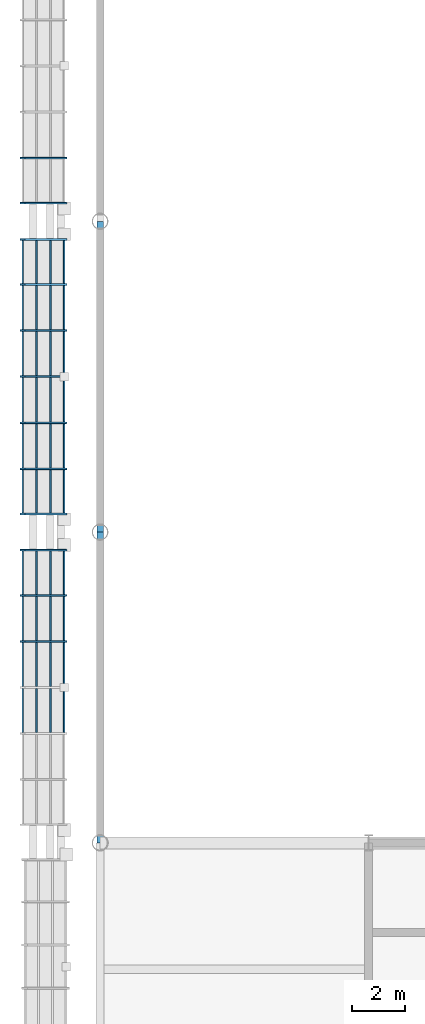
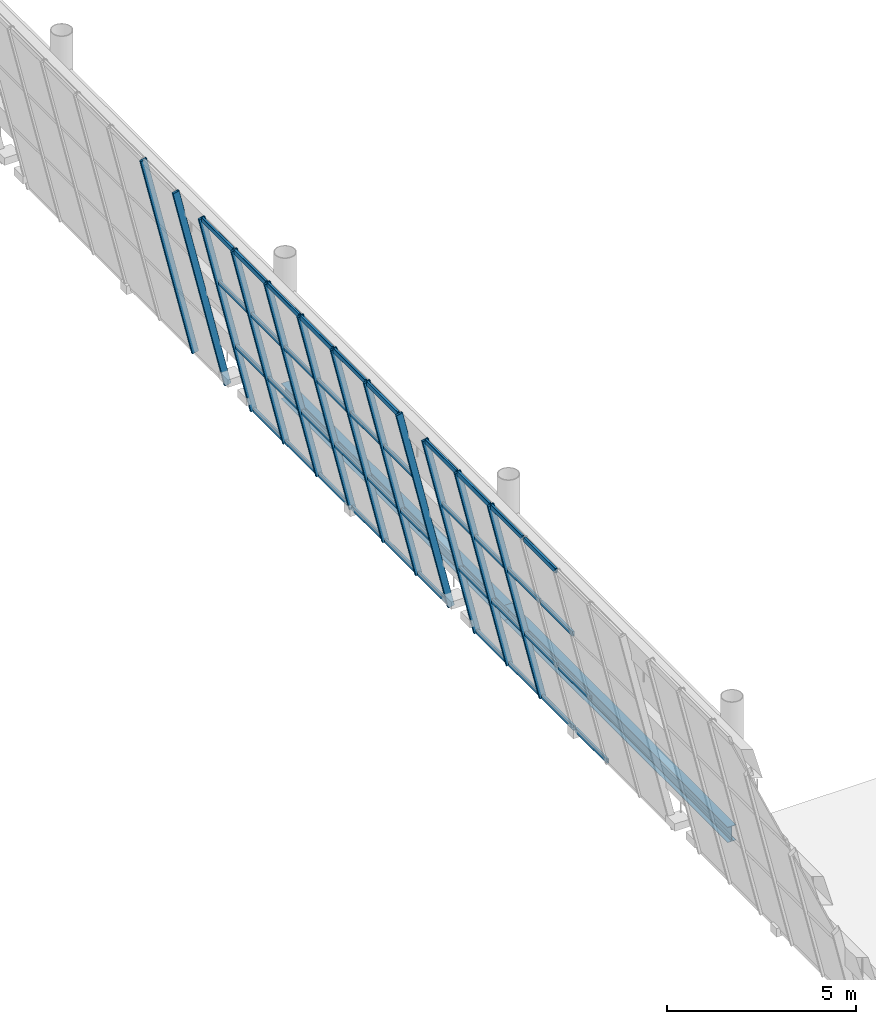
# One storey, part 26 of 157: 52 members, 2 beams, 3 elements without a shape of their own.
"""IFC4 building model written with IfcOpenShell, lengths in metres."""

from ifc_helpers import new_model, si_unit, direction, frame, origin, origin_2d, place, context, subcontext, project, spatial, hollow_rectangle, i_section, extrude, material, material_profile, profile_set, type_object, element, aggregate, save


model = new_model("IFC4")

# Units and contexts
model_context = context("Model", 3, precision=1e-05, world=origin(), true_north=direction((0.0, 1.0)))
body_context = subcontext(model_context, "Body", "Model", "MODEL_VIEW")
ifc_project = project(units=[si_unit("LENGTHUNIT", "METRE"), si_unit("AREAUNIT", "SQUARE_METRE"), si_unit("VOLUMEUNIT", "CUBIC_METRE"), si_unit("PLANEANGLEUNIT", "RADIAN"), si_unit("MASSUNIT", "GRAM", prefix="KILO")], contexts=[model_context])

# Site, building, storey
site_placement = place(None, origin())
site = spatial("IfcSite", under=ifc_project, at=site_placement, CompositionType="ELEMENT")
building_placement = place(site_placement, origin())
building = spatial("IfcBuilding", under=site, at=building_placement, Name="Brelvane Convention Centre", CompositionType="ELEMENT")
storey_placement = place(building_placement, frame((0.0, 0.0, 10.800048828125)))
storey = spatial("IfcBuildingStorey", under=building, at=storey_placement, Name="L02", CompositionType="ELEMENT", Elevation=10.800048828125)

# Curtain wall, members
ifc_material_1 = material(Name="Anodised Aluminium Alloy 6063-T6", Category="aluminium")
curtain_wall_type = type_object("IfcCurtainWallType", Name="Curtain Wall CW-HULL-S", PredefinedType="USERDEFINED", material=ifc_material_1)
curtain_wall_1_placement = place(storey_placement, origin())
curtain_wall_1 = element("IfcCurtainWall", 1, at=curtain_wall_1_placement, inside=storey, type_object=curtain_wall_type, Name="Curtain Wall CW-HULL-S L02-HULL-W-L02-1", ObjectType="UNITISED", PredefinedType="USERDEFINED")
ifc_material_2 = material(Name="Anodised Aluminium Alloy 6063-T6", Category="aluminium")
ifc_material_profile_1 = material_profile(ifc_material_2, hollow_rectangle(XDim=0.074951171875, YDim=0.199951171875, WallThickness=0.0048828125, InnerFilletRadius=0.0048828125, OuterFilletRadius=0.010009765625, at=origin_2d()), Name="ALU-M 200x75x5.0")
ifc_profile_set_1 = profile_set([ifc_material_profile_1], Name="Anodised Aluminium Alloy 6063-T6")
member_type_1 = type_object("IfcMemberType", Name="Curtain Mullion CW-M2", PredefinedType="MULLION", material=ifc_profile_set_1)
member_1_placement = place(storey_placement, frame((-1.360107421875, 36.449951171875, 0.0), z_axis=(-0.228324840492, 0.0, 0.973585007698), x_axis=(0.0, -1.0, 0.0)))
member_1 = element("IfcMember", 2, at=member_1_placement, type_object=member_type_1, Name="CW-HULL-S mullion 5", PredefinedType="MULLION", context=body_context, shape_type="SweptSolid", body=[
    extrude(hollow_rectangle(XDim=0.074951171875, YDim=0.199951171875, WallThickness=0.0048828125, InnerFilletRadius=0.0048828125, OuterFilletRadius=0.010009765625, at=origin_2d()), origin(), (0.0, 0.0, 1.0), 6.93310546875),
])
member_2_placement = place(storey_placement, frame((-1.360107421875, 38.199951171875, 0.0), z_axis=(-0.228324840492, 0.0, 0.973585007698), x_axis=(0.0, -1.0, 0.0)))
member_2 = element("IfcMember", 3, at=member_2_placement, type_object=member_type_1, Name="CW-HULL-S mullion 6", PredefinedType="MULLION", context=body_context, shape_type="SweptSolid", body=[
    extrude(hollow_rectangle(XDim=0.074951171875, YDim=0.199951171875, WallThickness=0.0048828125, InnerFilletRadius=0.0048828125, OuterFilletRadius=0.010009765625, at=origin_2d()), origin(), (0.0, 0.0, 1.0), 6.93310546875),
])
member_3_placement = place(storey_placement, frame((-1.360107421875, 39.91259765625, 0.0), z_axis=(-0.228324840492, 0.0, 0.973585007698), x_axis=(0.0, -1.0, 0.0)))
member_3 = element("IfcMember", 4, at=member_3_placement, type_object=member_type_1, Name="CW-HULL-S mullion 7", PredefinedType="MULLION", context=body_context, shape_type="SweptSolid", body=[
    extrude(hollow_rectangle(XDim=0.074951171875, YDim=0.199951171875, WallThickness=0.0048828125, InnerFilletRadius=0.0048828125, OuterFilletRadius=0.010009765625, at=origin_2d()), origin(), (0.0, 0.0, 1.0), 6.93310546875),
])

curtain_wall_2_placement = place(storey_placement, origin())
curtain_wall_2 = element("IfcCurtainWall", 5, at=curtain_wall_2_placement, inside=storey, type_object=curtain_wall_type, Name="Curtain Wall CW-HULL-S L02-HULL-W-L02-2", ObjectType="UNITISED", PredefinedType="USERDEFINED")
member_4_placement = place(storey_placement, frame((-1.360107421875, 41.28759765625, 0.0), z_axis=(-0.228324840492, 0.0, 0.973585007698), x_axis=(0.0, -1.0, 0.0)))
member_4 = element("IfcMember", 6, at=member_4_placement, type_object=member_type_1, Name="CW-HULL-S mullion 1", PredefinedType="MULLION", context=body_context, shape_type="SweptSolid", body=[
    extrude(hollow_rectangle(XDim=0.074951171875, YDim=0.199951171875, WallThickness=0.0048828125, InnerFilletRadius=0.0048828125, OuterFilletRadius=0.010009765625, at=origin_2d()), origin(), (0.0, 0.0, 1.0), 6.93310546875),
])
member_5_placement = place(storey_placement, frame((-1.360107421875, 43.0, 0.0), z_axis=(-0.228324840492, 0.0, 0.973585007698), x_axis=(0.0, -1.0, 0.0)))
member_5 = element("IfcMember", 7, at=member_5_placement, type_object=member_type_1, Name="CW-HULL-S mullion 2", PredefinedType="MULLION", context=body_context, shape_type="SweptSolid", body=[
    extrude(hollow_rectangle(XDim=0.074951171875, YDim=0.199951171875, WallThickness=0.0048828125, InnerFilletRadius=0.0048828125, OuterFilletRadius=0.010009765625, at=origin_2d()), origin(), (0.0, 0.0, 1.0), 6.93310546875),
])
member_6_placement = place(storey_placement, frame((-1.360107421875, 44.75, 0.0), z_axis=(-0.228324840492, 0.0, 0.973585007698), x_axis=(0.0, -1.0, 0.0)))
member_6 = element("IfcMember", 8, at=member_6_placement, type_object=member_type_1, Name="CW-HULL-S mullion 3", PredefinedType="MULLION", context=body_context, shape_type="SweptSolid", body=[
    extrude(hollow_rectangle(XDim=0.074951171875, YDim=0.199951171875, WallThickness=0.0048828125, InnerFilletRadius=0.0048828125, OuterFilletRadius=0.010009765625, at=origin_2d()), origin(), (0.0, 0.0, 1.0), 6.93310546875),
])
member_7_placement = place(storey_placement, frame((-1.360107421875, 46.5, 0.0), z_axis=(-0.228324840492, 0.0, 0.973585007698), x_axis=(0.0, -1.0, 0.0)))
member_7 = element("IfcMember", 9, at=member_7_placement, type_object=member_type_1, Name="CW-HULL-S mullion 4", PredefinedType="MULLION", context=body_context, shape_type="SweptSolid", body=[
    extrude(hollow_rectangle(XDim=0.074951171875, YDim=0.199951171875, WallThickness=0.0048828125, InnerFilletRadius=0.0048828125, OuterFilletRadius=0.010009765625, at=origin_2d()), origin(), (0.0, 0.0, 1.0), 6.93310546875),
])
member_8_placement = place(storey_placement, frame((-1.360107421875, 48.25, 0.0), z_axis=(-0.228324840492, 0.0, 0.973585007698), x_axis=(0.0, -1.0, 0.0)))
member_8 = element("IfcMember", 10, at=member_8_placement, type_object=member_type_1, Name="CW-HULL-S mullion 5", PredefinedType="MULLION", context=body_context, shape_type="SweptSolid", body=[
    extrude(hollow_rectangle(XDim=0.074951171875, YDim=0.199951171875, WallThickness=0.0048828125, InnerFilletRadius=0.0048828125, OuterFilletRadius=0.010009765625, at=origin_2d()), origin(), (0.0, 0.0, 1.0), 6.93310546875),
])
member_9_placement = place(storey_placement, frame((-1.360107421875, 50.0, 0.0), z_axis=(-0.228324840492, 0.0, 0.973585007698), x_axis=(0.0, -1.0, 0.0)))
member_9 = element("IfcMember", 11, at=member_9_placement, type_object=member_type_1, Name="CW-HULL-S mullion 6", PredefinedType="MULLION", context=body_context, shape_type="SweptSolid", body=[
    extrude(hollow_rectangle(XDim=0.074951171875, YDim=0.199951171875, WallThickness=0.0048828125, InnerFilletRadius=0.0048828125, OuterFilletRadius=0.010009765625, at=origin_2d()), origin(), (0.0, 0.0, 1.0), 6.93310546875),
])
member_10_placement = place(storey_placement, frame((-1.360107421875, 51.71240234375, 0.0), z_axis=(-0.228324840492, 0.0, 0.973585007698), x_axis=(0.0, -1.0, 0.0)))
member_10 = element("IfcMember", 12, at=member_10_placement, type_object=member_type_1, Name="CW-HULL-S mullion 7", PredefinedType="MULLION", context=body_context, shape_type="SweptSolid", body=[
    extrude(hollow_rectangle(XDim=0.074951171875, YDim=0.199951171875, WallThickness=0.0048828125, InnerFilletRadius=0.0048828125, OuterFilletRadius=0.010009765625, at=origin_2d()), origin(), (0.0, 0.0, 1.0), 6.93310546875),
])

curtain_wall_3_placement = place(storey_placement, origin())
curtain_wall_3 = element("IfcCurtainWall", 13, at=curtain_wall_3_placement, inside=storey, type_object=curtain_wall_type, Name="Curtain Wall CW-HULL-S L02-HULL-W-L02-3", ObjectType="UNITISED", PredefinedType="USERDEFINED")
member_11_placement = place(storey_placement, frame((-1.360107421875, 53.08740234375, 0.0), z_axis=(-0.228324840492, 0.0, 0.973585007698), x_axis=(0.0, -1.0, 0.0)))
member_11 = element("IfcMember", 14, at=member_11_placement, type_object=member_type_1, Name="CW-HULL-S mullion 1", PredefinedType="MULLION", context=body_context, shape_type="SweptSolid", body=[
    extrude(hollow_rectangle(XDim=0.074951171875, YDim=0.199951171875, WallThickness=0.0048828125, InnerFilletRadius=0.0048828125, OuterFilletRadius=0.010009765625, at=origin_2d()), origin(), (0.0, 0.0, 1.0), 6.93310546875),
])
member_12_placement = place(storey_placement, frame((-1.360107421875, 54.800048828125, 0.0), z_axis=(-0.228324840492, 0.0, 0.973585007698), x_axis=(0.0, -1.0, 0.0)))
member_12 = element("IfcMember", 15, at=member_12_placement, type_object=member_type_1, Name="CW-HULL-S mullion 2", PredefinedType="MULLION", context=body_context, shape_type="SweptSolid", body=[
    extrude(hollow_rectangle(XDim=0.074951171875, YDim=0.199951171875, WallThickness=0.0048828125, InnerFilletRadius=0.0048828125, OuterFilletRadius=0.010009765625, at=origin_2d()), origin(), (0.0, 0.0, 1.0), 6.93310546875),
])
aggregate(curtain_wall_3, [member_11, member_12])

# Member
ifc_material_3 = material(Name="Anodised Aluminium Alloy 6063-T6", Category="aluminium")
ifc_material_profile_2 = material_profile(ifc_material_3, hollow_rectangle(XDim=0.070068359375, YDim=0.14990234375, WallThickness=0.00439453125, InnerFilletRadius=0.00439453125, OuterFilletRadius=0.009033203125, at=origin_2d()), Name="ALU-T 150x70x4.5")
ifc_profile_set_2 = profile_set([ifc_material_profile_2], Name="Anodised Aluminium Alloy 6063-T6")
member_type_2 = type_object("IfcMemberType", Name="Curtain Transom CW-T2", PredefinedType="USERDEFINED", material=ifc_profile_set_2)
member_13_placement = place(storey_placement, frame((-1.3681640625, 32.987548828125, 0.034912109375), z_axis=(0.0, 1.0, 0.0), x_axis=(-1.0, 0.0, 0.0)))
member_13 = element("IfcMember", 16, at=member_13_placement, type_object=member_type_2, Name="CW-HULL-S transom 3.1", ObjectType="TRANSOM", PredefinedType="USERDEFINED", context=body_context, shape_type="SweptSolid", body=[
    extrude(hollow_rectangle(XDim=0.070068359375, YDim=0.14990234375, WallThickness=0.00439453125, InnerFilletRadius=0.00439453125, OuterFilletRadius=0.009033203125, at=origin_2d()), origin(), (0.0, 0.0, 1.0), 1.675048828125),
])

member_14_placement = place(storey_placement, frame((-1.8876953125, 32.987548828125, 2.25), z_axis=(0.0, 1.0, 0.0), x_axis=(-1.0, 0.0, 0.0)))
member_14 = element("IfcMember", 17, at=member_14_placement, type_object=member_type_2, Name="CW-HULL-S transom 3.2", ObjectType="TRANSOM", PredefinedType="USERDEFINED", context=body_context, shape_type="SweptSolid", body=[
    extrude(hollow_rectangle(XDim=0.070068359375, YDim=0.14990234375, WallThickness=0.00439453125, InnerFilletRadius=0.00439453125, OuterFilletRadius=0.009033203125, at=origin_2d()), origin(), (0.0, 0.0, 1.0), 1.675048828125),
])

member_15_placement = place(storey_placement, frame((-2.41552734375, 32.987548828125, 4.5), z_axis=(0.0, 1.0, 0.0), x_axis=(-1.0, 0.0, 0.0)))
member_15 = element("IfcMember", 18, at=member_15_placement, type_object=member_type_2, Name="CW-HULL-S transom 3.3", ObjectType="TRANSOM", PredefinedType="USERDEFINED", context=body_context, shape_type="SweptSolid", body=[
    extrude(hollow_rectangle(XDim=0.070068359375, YDim=0.14990234375, WallThickness=0.00439453125, InnerFilletRadius=0.00439453125, OuterFilletRadius=0.009033203125, at=origin_2d()), origin(), (0.0, 0.0, 1.0), 1.675048828125),
])

member_16_placement = place(storey_placement, frame((-2.93505859375, 32.987548828125, 6.71484375), z_axis=(0.0, 1.0, 0.0), x_axis=(-1.0, 0.0, 0.0)))
member_16 = element("IfcMember", 19, at=member_16_placement, type_object=member_type_2, Name="CW-HULL-S transom 3.4", ObjectType="TRANSOM", PredefinedType="USERDEFINED", context=body_context, shape_type="SweptSolid", body=[
    extrude(hollow_rectangle(XDim=0.070068359375, YDim=0.14990234375, WallThickness=0.00439453125, InnerFilletRadius=0.00439453125, OuterFilletRadius=0.009033203125, at=origin_2d()), origin(), (0.0, 0.0, 1.0), 1.675048828125),
])

member_17_placement = place(storey_placement, frame((-1.3681640625, 34.737548828125, 0.034912109375), z_axis=(0.0, 1.0, 0.0), x_axis=(-1.0, 0.0, 0.0)))
member_17 = element("IfcMember", 20, at=member_17_placement, type_object=member_type_2, Name="CW-HULL-S transom 4.1", ObjectType="TRANSOM", PredefinedType="USERDEFINED", context=body_context, shape_type="SweptSolid", body=[
    extrude(hollow_rectangle(XDim=0.070068359375, YDim=0.14990234375, WallThickness=0.00439453125, InnerFilletRadius=0.00439453125, OuterFilletRadius=0.009033203125, at=origin_2d()), origin(), (0.0, 0.0, 1.0), 1.675048828125),
])

member_18_placement = place(storey_placement, frame((-1.8876953125, 34.737548828125, 2.25), z_axis=(0.0, 1.0, 0.0), x_axis=(-1.0, 0.0, 0.0)))
member_18 = element("IfcMember", 21, at=member_18_placement, type_object=member_type_2, Name="CW-HULL-S transom 4.2", ObjectType="TRANSOM", PredefinedType="USERDEFINED", context=body_context, shape_type="SweptSolid", body=[
    extrude(hollow_rectangle(XDim=0.070068359375, YDim=0.14990234375, WallThickness=0.00439453125, InnerFilletRadius=0.00439453125, OuterFilletRadius=0.009033203125, at=origin_2d()), origin(), (0.0, 0.0, 1.0), 1.675048828125),
])

member_19_placement = place(storey_placement, frame((-2.41552734375, 34.737548828125, 4.5), z_axis=(0.0, 1.0, 0.0), x_axis=(-1.0, 0.0, 0.0)))
member_19 = element("IfcMember", 22, at=member_19_placement, type_object=member_type_2, Name="CW-HULL-S transom 4.3", ObjectType="TRANSOM", PredefinedType="USERDEFINED", context=body_context, shape_type="SweptSolid", body=[
    extrude(hollow_rectangle(XDim=0.070068359375, YDim=0.14990234375, WallThickness=0.00439453125, InnerFilletRadius=0.00439453125, OuterFilletRadius=0.009033203125, at=origin_2d()), origin(), (0.0, 0.0, 1.0), 1.675048828125),
])

member_20_placement = place(storey_placement, frame((-2.93505859375, 34.737548828125, 6.71484375), z_axis=(0.0, 1.0, 0.0), x_axis=(-1.0, 0.0, 0.0)))
member_20 = element("IfcMember", 23, at=member_20_placement, type_object=member_type_2, Name="CW-HULL-S transom 4.4", ObjectType="TRANSOM", PredefinedType="USERDEFINED", context=body_context, shape_type="SweptSolid", body=[
    extrude(hollow_rectangle(XDim=0.070068359375, YDim=0.14990234375, WallThickness=0.00439453125, InnerFilletRadius=0.00439453125, OuterFilletRadius=0.009033203125, at=origin_2d()), origin(), (0.0, 0.0, 1.0), 1.675048828125),
])

member_21_placement = place(storey_placement, frame((-1.3681640625, 36.487548828125, 0.034912109375), z_axis=(0.0, 1.0, 0.0), x_axis=(-1.0, 0.0, 0.0)))
member_21 = element("IfcMember", 24, at=member_21_placement, type_object=member_type_2, Name="CW-HULL-S transom 5.1", ObjectType="TRANSOM", PredefinedType="USERDEFINED", context=body_context, shape_type="SweptSolid", body=[
    extrude(hollow_rectangle(XDim=0.070068359375, YDim=0.14990234375, WallThickness=0.00439453125, InnerFilletRadius=0.00439453125, OuterFilletRadius=0.009033203125, at=origin_2d()), origin(), (0.0, 0.0, 1.0), 1.675048828125),
])

member_22_placement = place(storey_placement, frame((-1.8876953125, 36.487548828125, 2.25), z_axis=(0.0, 1.0, 0.0), x_axis=(-1.0, 0.0, 0.0)))
member_22 = element("IfcMember", 25, at=member_22_placement, type_object=member_type_2, Name="CW-HULL-S transom 5.2", ObjectType="TRANSOM", PredefinedType="USERDEFINED", context=body_context, shape_type="SweptSolid", body=[
    extrude(hollow_rectangle(XDim=0.070068359375, YDim=0.14990234375, WallThickness=0.00439453125, InnerFilletRadius=0.00439453125, OuterFilletRadius=0.009033203125, at=origin_2d()), origin(), (0.0, 0.0, 1.0), 1.675048828125),
])

member_23_placement = place(storey_placement, frame((-2.41552734375, 36.487548828125, 4.5), z_axis=(0.0, 1.0, 0.0), x_axis=(-1.0, 0.0, 0.0)))
member_23 = element("IfcMember", 26, at=member_23_placement, type_object=member_type_2, Name="CW-HULL-S transom 5.3", ObjectType="TRANSOM", PredefinedType="USERDEFINED", context=body_context, shape_type="SweptSolid", body=[
    extrude(hollow_rectangle(XDim=0.070068359375, YDim=0.14990234375, WallThickness=0.00439453125, InnerFilletRadius=0.00439453125, OuterFilletRadius=0.009033203125, at=origin_2d()), origin(), (0.0, 0.0, 1.0), 1.675048828125),
])

member_24_placement = place(storey_placement, frame((-2.93505859375, 36.487548828125, 6.71484375), z_axis=(0.0, 1.0, 0.0), x_axis=(-1.0, 0.0, 0.0)))
member_24 = element("IfcMember", 27, at=member_24_placement, type_object=member_type_2, Name="CW-HULL-S transom 5.4", ObjectType="TRANSOM", PredefinedType="USERDEFINED", context=body_context, shape_type="SweptSolid", body=[
    extrude(hollow_rectangle(XDim=0.070068359375, YDim=0.14990234375, WallThickness=0.00439453125, InnerFilletRadius=0.00439453125, OuterFilletRadius=0.009033203125, at=origin_2d()), origin(), (0.0, 0.0, 1.0), 1.675048828125),
])

member_25_placement = place(storey_placement, frame((-1.3681640625, 38.237548828125, 0.034912109375), z_axis=(0.0, 1.0, 0.0), x_axis=(-1.0, 0.0, 0.0)))
member_25 = element("IfcMember", 28, at=member_25_placement, type_object=member_type_2, Name="CW-HULL-S transom 6.1", ObjectType="TRANSOM", PredefinedType="USERDEFINED", context=body_context, shape_type="SweptSolid", body=[
    extrude(hollow_rectangle(XDim=0.070068359375, YDim=0.14990234375, WallThickness=0.00439453125, InnerFilletRadius=0.00439453125, OuterFilletRadius=0.009033203125, at=origin_2d()), origin(), (0.0, 0.0, 1.0), 1.637451171875),
])

member_26_placement = place(storey_placement, frame((-1.8876953125, 38.237548828125, 2.25), z_axis=(0.0, 1.0, 0.0), x_axis=(-1.0, 0.0, 0.0)))
member_26 = element("IfcMember", 29, at=member_26_placement, type_object=member_type_2, Name="CW-HULL-S transom 6.2", ObjectType="TRANSOM", PredefinedType="USERDEFINED", context=body_context, shape_type="SweptSolid", body=[
    extrude(hollow_rectangle(XDim=0.070068359375, YDim=0.14990234375, WallThickness=0.00439453125, InnerFilletRadius=0.00439453125, OuterFilletRadius=0.009033203125, at=origin_2d()), origin(), (0.0, 0.0, 1.0), 1.637451171875),
])

member_27_placement = place(storey_placement, frame((-2.41552734375, 38.237548828125, 4.5), z_axis=(0.0, 1.0, 0.0), x_axis=(-1.0, 0.0, 0.0)))
member_27 = element("IfcMember", 30, at=member_27_placement, type_object=member_type_2, Name="CW-HULL-S transom 6.3", ObjectType="TRANSOM", PredefinedType="USERDEFINED", context=body_context, shape_type="SweptSolid", body=[
    extrude(hollow_rectangle(XDim=0.070068359375, YDim=0.14990234375, WallThickness=0.00439453125, InnerFilletRadius=0.00439453125, OuterFilletRadius=0.009033203125, at=origin_2d()), origin(), (0.0, 0.0, 1.0), 1.637451171875),
])

member_28_placement = place(storey_placement, frame((-2.93505859375, 38.237548828125, 6.71484375), z_axis=(0.0, 1.0, 0.0), x_axis=(-1.0, 0.0, 0.0)))
member_28 = element("IfcMember", 31, at=member_28_placement, type_object=member_type_2, Name="CW-HULL-S transom 6.4", ObjectType="TRANSOM", PredefinedType="USERDEFINED", context=body_context, shape_type="SweptSolid", body=[
    extrude(hollow_rectangle(XDim=0.070068359375, YDim=0.14990234375, WallThickness=0.00439453125, InnerFilletRadius=0.00439453125, OuterFilletRadius=0.009033203125, at=origin_2d()), origin(), (0.0, 0.0, 1.0), 1.637451171875),
])

aggregate(curtain_wall_1, [member_1, member_2, member_3, member_13, member_14, member_15, member_16, member_17, member_18, member_19, member_20, member_21, member_22, member_23, member_24, member_25, member_26, member_27, member_28])

member_29_placement = place(storey_placement, frame((-1.3681640625, 41.324951171875, 0.034912109375), z_axis=(0.0, 1.0, 0.0), x_axis=(-1.0, 0.0, 0.0)))
member_29 = element("IfcMember", 32, at=member_29_placement, type_object=member_type_2, Name="CW-HULL-S transom 1.1", ObjectType="TRANSOM", PredefinedType="USERDEFINED", context=body_context, shape_type="SweptSolid", body=[
    extrude(hollow_rectangle(XDim=0.070068359375, YDim=0.14990234375, WallThickness=0.00439453125, InnerFilletRadius=0.00439453125, OuterFilletRadius=0.009033203125, at=origin_2d()), origin(), (0.0, 0.0, 1.0), 1.637451171875),
])

member_30_placement = place(storey_placement, frame((-1.8876953125, 41.324951171875, 2.25), z_axis=(0.0, 1.0, 0.0), x_axis=(-1.0, 0.0, 0.0)))
member_30 = element("IfcMember", 33, at=member_30_placement, type_object=member_type_2, Name="CW-HULL-S transom 1.2", ObjectType="TRANSOM", PredefinedType="USERDEFINED", context=body_context, shape_type="SweptSolid", body=[
    extrude(hollow_rectangle(XDim=0.070068359375, YDim=0.14990234375, WallThickness=0.00439453125, InnerFilletRadius=0.00439453125, OuterFilletRadius=0.009033203125, at=origin_2d()), origin(), (0.0, 0.0, 1.0), 1.637451171875),
])

member_31_placement = place(storey_placement, frame((-2.41552734375, 41.324951171875, 4.5), z_axis=(0.0, 1.0, 0.0), x_axis=(-1.0, 0.0, 0.0)))
member_31 = element("IfcMember", 34, at=member_31_placement, type_object=member_type_2, Name="CW-HULL-S transom 1.3", ObjectType="TRANSOM", PredefinedType="USERDEFINED", context=body_context, shape_type="SweptSolid", body=[
    extrude(hollow_rectangle(XDim=0.070068359375, YDim=0.14990234375, WallThickness=0.00439453125, InnerFilletRadius=0.00439453125, OuterFilletRadius=0.009033203125, at=origin_2d()), origin(), (0.0, 0.0, 1.0), 1.637451171875),
])

member_32_placement = place(storey_placement, frame((-2.93505859375, 41.324951171875, 6.71484375), z_axis=(0.0, 1.0, 0.0), x_axis=(-1.0, 0.0, 0.0)))
member_32 = element("IfcMember", 35, at=member_32_placement, type_object=member_type_2, Name="CW-HULL-S transom 1.4", ObjectType="TRANSOM", PredefinedType="USERDEFINED", context=body_context, shape_type="SweptSolid", body=[
    extrude(hollow_rectangle(XDim=0.070068359375, YDim=0.14990234375, WallThickness=0.00439453125, InnerFilletRadius=0.00439453125, OuterFilletRadius=0.009033203125, at=origin_2d()), origin(), (0.0, 0.0, 1.0), 1.637451171875),
])

member_33_placement = place(storey_placement, frame((-1.3681640625, 43.03759765625, 0.034912109375), z_axis=(0.0, 1.0, 0.0), x_axis=(-1.0, 0.0, 0.0)))
member_33 = element("IfcMember", 36, at=member_33_placement, type_object=member_type_2, Name="CW-HULL-S transom 2.1", ObjectType="TRANSOM", PredefinedType="USERDEFINED", context=body_context, shape_type="SweptSolid", body=[
    extrude(hollow_rectangle(XDim=0.070068359375, YDim=0.14990234375, WallThickness=0.00439453125, InnerFilletRadius=0.00439453125, OuterFilletRadius=0.009033203125, at=origin_2d()), origin(), (0.0, 0.0, 1.0), 1.6748046875),
])

member_34_placement = place(storey_placement, frame((-1.8876953125, 43.03759765625, 2.25), z_axis=(0.0, 1.0, 0.0), x_axis=(-1.0, 0.0, 0.0)))
member_34 = element("IfcMember", 37, at=member_34_placement, type_object=member_type_2, Name="CW-HULL-S transom 2.2", ObjectType="TRANSOM", PredefinedType="USERDEFINED", context=body_context, shape_type="SweptSolid", body=[
    extrude(hollow_rectangle(XDim=0.070068359375, YDim=0.14990234375, WallThickness=0.00439453125, InnerFilletRadius=0.00439453125, OuterFilletRadius=0.009033203125, at=origin_2d()), origin(), (0.0, 0.0, 1.0), 1.6748046875),
])

member_35_placement = place(storey_placement, frame((-2.41552734375, 43.03759765625, 4.5), z_axis=(0.0, 1.0, 0.0), x_axis=(-1.0, 0.0, 0.0)))
member_35 = element("IfcMember", 38, at=member_35_placement, type_object=member_type_2, Name="CW-HULL-S transom 2.3", ObjectType="TRANSOM", PredefinedType="USERDEFINED", context=body_context, shape_type="SweptSolid", body=[
    extrude(hollow_rectangle(XDim=0.070068359375, YDim=0.14990234375, WallThickness=0.00439453125, InnerFilletRadius=0.00439453125, OuterFilletRadius=0.009033203125, at=origin_2d()), origin(), (0.0, 0.0, 1.0), 1.6748046875),
])

member_36_placement = place(storey_placement, frame((-2.93505859375, 43.03759765625, 6.71484375), z_axis=(0.0, 1.0, 0.0), x_axis=(-1.0, 0.0, 0.0)))
member_36 = element("IfcMember", 39, at=member_36_placement, type_object=member_type_2, Name="CW-HULL-S transom 2.4", ObjectType="TRANSOM", PredefinedType="USERDEFINED", context=body_context, shape_type="SweptSolid", body=[
    extrude(hollow_rectangle(XDim=0.070068359375, YDim=0.14990234375, WallThickness=0.00439453125, InnerFilletRadius=0.00439453125, OuterFilletRadius=0.009033203125, at=origin_2d()), origin(), (0.0, 0.0, 1.0), 1.6748046875),
])

member_37_placement = place(storey_placement, frame((-1.3681640625, 44.78759765625, 0.034912109375), z_axis=(0.0, 1.0, 0.0), x_axis=(-1.0, 0.0, 0.0)))
member_37 = element("IfcMember", 40, at=member_37_placement, type_object=member_type_2, Name="CW-HULL-S transom 3.1", ObjectType="TRANSOM", PredefinedType="USERDEFINED", context=body_context, shape_type="SweptSolid", body=[
    extrude(hollow_rectangle(XDim=0.070068359375, YDim=0.14990234375, WallThickness=0.00439453125, InnerFilletRadius=0.00439453125, OuterFilletRadius=0.009033203125, at=origin_2d()), origin(), (0.0, 0.0, 1.0), 1.6748046875),
])

member_38_placement = place(storey_placement, frame((-1.8876953125, 44.78759765625, 2.25), z_axis=(0.0, 1.0, 0.0), x_axis=(-1.0, 0.0, 0.0)))
member_38 = element("IfcMember", 41, at=member_38_placement, type_object=member_type_2, Name="CW-HULL-S transom 3.2", ObjectType="TRANSOM", PredefinedType="USERDEFINED", context=body_context, shape_type="SweptSolid", body=[
    extrude(hollow_rectangle(XDim=0.070068359375, YDim=0.14990234375, WallThickness=0.00439453125, InnerFilletRadius=0.00439453125, OuterFilletRadius=0.009033203125, at=origin_2d()), origin(), (0.0, 0.0, 1.0), 1.6748046875),
])

member_39_placement = place(storey_placement, frame((-2.41552734375, 44.78759765625, 4.5), z_axis=(0.0, 1.0, 0.0), x_axis=(-1.0, 0.0, 0.0)))
member_39 = element("IfcMember", 42, at=member_39_placement, type_object=member_type_2, Name="CW-HULL-S transom 3.3", ObjectType="TRANSOM", PredefinedType="USERDEFINED", context=body_context, shape_type="SweptSolid", body=[
    extrude(hollow_rectangle(XDim=0.070068359375, YDim=0.14990234375, WallThickness=0.00439453125, InnerFilletRadius=0.00439453125, OuterFilletRadius=0.009033203125, at=origin_2d()), origin(), (0.0, 0.0, 1.0), 1.6748046875),
])

member_40_placement = place(storey_placement, frame((-2.93505859375, 44.78759765625, 6.71484375), z_axis=(0.0, 1.0, 0.0), x_axis=(-1.0, 0.0, 0.0)))
member_40 = element("IfcMember", 43, at=member_40_placement, type_object=member_type_2, Name="CW-HULL-S transom 3.4", ObjectType="TRANSOM", PredefinedType="USERDEFINED", context=body_context, shape_type="SweptSolid", body=[
    extrude(hollow_rectangle(XDim=0.070068359375, YDim=0.14990234375, WallThickness=0.00439453125, InnerFilletRadius=0.00439453125, OuterFilletRadius=0.009033203125, at=origin_2d()), origin(), (0.0, 0.0, 1.0), 1.6748046875),
])

member_41_placement = place(storey_placement, frame((-1.3681640625, 46.53759765625, 0.034912109375), z_axis=(0.0, 1.0, 0.0), x_axis=(-1.0, 0.0, 0.0)))
member_41 = element("IfcMember", 44, at=member_41_placement, type_object=member_type_2, Name="CW-HULL-S transom 4.1", ObjectType="TRANSOM", PredefinedType="USERDEFINED", context=body_context, shape_type="SweptSolid", body=[
    extrude(hollow_rectangle(XDim=0.070068359375, YDim=0.14990234375, WallThickness=0.00439453125, InnerFilletRadius=0.00439453125, OuterFilletRadius=0.009033203125, at=origin_2d()), origin(), (0.0, 0.0, 1.0), 1.6748046875),
])

member_42_placement = place(storey_placement, frame((-1.8876953125, 46.53759765625, 2.25), z_axis=(0.0, 1.0, 0.0), x_axis=(-1.0, 0.0, 0.0)))
member_42 = element("IfcMember", 45, at=member_42_placement, type_object=member_type_2, Name="CW-HULL-S transom 4.2", ObjectType="TRANSOM", PredefinedType="USERDEFINED", context=body_context, shape_type="SweptSolid", body=[
    extrude(hollow_rectangle(XDim=0.070068359375, YDim=0.14990234375, WallThickness=0.00439453125, InnerFilletRadius=0.00439453125, OuterFilletRadius=0.009033203125, at=origin_2d()), origin(), (0.0, 0.0, 1.0), 1.6748046875),
])

member_43_placement = place(storey_placement, frame((-2.41552734375, 46.53759765625, 4.5), z_axis=(0.0, 1.0, 0.0), x_axis=(-1.0, 0.0, 0.0)))
member_43 = element("IfcMember", 46, at=member_43_placement, type_object=member_type_2, Name="CW-HULL-S transom 4.3", ObjectType="TRANSOM", PredefinedType="USERDEFINED", context=body_context, shape_type="SweptSolid", body=[
    extrude(hollow_rectangle(XDim=0.070068359375, YDim=0.14990234375, WallThickness=0.00439453125, InnerFilletRadius=0.00439453125, OuterFilletRadius=0.009033203125, at=origin_2d()), origin(), (0.0, 0.0, 1.0), 1.6748046875),
])

member_44_placement = place(storey_placement, frame((-2.93505859375, 46.53759765625, 6.71484375), z_axis=(0.0, 1.0, 0.0), x_axis=(-1.0, 0.0, 0.0)))
member_44 = element("IfcMember", 47, at=member_44_placement, type_object=member_type_2, Name="CW-HULL-S transom 4.4", ObjectType="TRANSOM", PredefinedType="USERDEFINED", context=body_context, shape_type="SweptSolid", body=[
    extrude(hollow_rectangle(XDim=0.070068359375, YDim=0.14990234375, WallThickness=0.00439453125, InnerFilletRadius=0.00439453125, OuterFilletRadius=0.009033203125, at=origin_2d()), origin(), (0.0, 0.0, 1.0), 1.6748046875),
])

member_45_placement = place(storey_placement, frame((-1.3681640625, 48.28759765625, 0.034912109375), z_axis=(0.0, 1.0, 0.0), x_axis=(-1.0, 0.0, 0.0)))
member_45 = element("IfcMember", 48, at=member_45_placement, type_object=member_type_2, Name="CW-HULL-S transom 5.1", ObjectType="TRANSOM", PredefinedType="USERDEFINED", context=body_context, shape_type="SweptSolid", body=[
    extrude(hollow_rectangle(XDim=0.070068359375, YDim=0.14990234375, WallThickness=0.00439453125, InnerFilletRadius=0.00439453125, OuterFilletRadius=0.009033203125, at=origin_2d()), origin(), (0.0, 0.0, 1.0), 1.6748046875),
])

member_46_placement = place(storey_placement, frame((-1.8876953125, 48.28759765625, 2.25), z_axis=(0.0, 1.0, 0.0), x_axis=(-1.0, 0.0, 0.0)))
member_46 = element("IfcMember", 49, at=member_46_placement, type_object=member_type_2, Name="CW-HULL-S transom 5.2", ObjectType="TRANSOM", PredefinedType="USERDEFINED", context=body_context, shape_type="SweptSolid", body=[
    extrude(hollow_rectangle(XDim=0.070068359375, YDim=0.14990234375, WallThickness=0.00439453125, InnerFilletRadius=0.00439453125, OuterFilletRadius=0.009033203125, at=origin_2d()), origin(), (0.0, 0.0, 1.0), 1.6748046875),
])

member_47_placement = place(storey_placement, frame((-2.41552734375, 48.28759765625, 4.5), z_axis=(0.0, 1.0, 0.0), x_axis=(-1.0, 0.0, 0.0)))
member_47 = element("IfcMember", 50, at=member_47_placement, type_object=member_type_2, Name="CW-HULL-S transom 5.3", ObjectType="TRANSOM", PredefinedType="USERDEFINED", context=body_context, shape_type="SweptSolid", body=[
    extrude(hollow_rectangle(XDim=0.070068359375, YDim=0.14990234375, WallThickness=0.00439453125, InnerFilletRadius=0.00439453125, OuterFilletRadius=0.009033203125, at=origin_2d()), origin(), (0.0, 0.0, 1.0), 1.6748046875),
])

member_48_placement = place(storey_placement, frame((-2.93505859375, 48.28759765625, 6.71484375), z_axis=(0.0, 1.0, 0.0), x_axis=(-1.0, 0.0, 0.0)))
member_48 = element("IfcMember", 51, at=member_48_placement, type_object=member_type_2, Name="CW-HULL-S transom 5.4", ObjectType="TRANSOM", PredefinedType="USERDEFINED", context=body_context, shape_type="SweptSolid", body=[
    extrude(hollow_rectangle(XDim=0.070068359375, YDim=0.14990234375, WallThickness=0.00439453125, InnerFilletRadius=0.00439453125, OuterFilletRadius=0.009033203125, at=origin_2d()), origin(), (0.0, 0.0, 1.0), 1.6748046875),
])

member_49_placement = place(storey_placement, frame((-1.3681640625, 50.03759765625, 0.034912109375), z_axis=(0.0, 1.0, 0.0), x_axis=(-1.0, 0.0, 0.0)))
member_49 = element("IfcMember", 52, at=member_49_placement, type_object=member_type_2, Name="CW-HULL-S transom 6.1", ObjectType="TRANSOM", PredefinedType="USERDEFINED", context=body_context, shape_type="SweptSolid", body=[
    extrude(hollow_rectangle(XDim=0.070068359375, YDim=0.14990234375, WallThickness=0.00439453125, InnerFilletRadius=0.00439453125, OuterFilletRadius=0.009033203125, at=origin_2d()), origin(), (0.0, 0.0, 1.0), 1.637451171875),
])

member_50_placement = place(storey_placement, frame((-1.8876953125, 50.03759765625, 2.25), z_axis=(0.0, 1.0, 0.0), x_axis=(-1.0, 0.0, 0.0)))
member_50 = element("IfcMember", 53, at=member_50_placement, type_object=member_type_2, Name="CW-HULL-S transom 6.2", ObjectType="TRANSOM", PredefinedType="USERDEFINED", context=body_context, shape_type="SweptSolid", body=[
    extrude(hollow_rectangle(XDim=0.070068359375, YDim=0.14990234375, WallThickness=0.00439453125, InnerFilletRadius=0.00439453125, OuterFilletRadius=0.009033203125, at=origin_2d()), origin(), (0.0, 0.0, 1.0), 1.637451171875),
])

member_51_placement = place(storey_placement, frame((-2.41552734375, 50.03759765625, 4.5), z_axis=(0.0, 1.0, 0.0), x_axis=(-1.0, 0.0, 0.0)))
member_51 = element("IfcMember", 54, at=member_51_placement, type_object=member_type_2, Name="CW-HULL-S transom 6.3", ObjectType="TRANSOM", PredefinedType="USERDEFINED", context=body_context, shape_type="SweptSolid", body=[
    extrude(hollow_rectangle(XDim=0.070068359375, YDim=0.14990234375, WallThickness=0.00439453125, InnerFilletRadius=0.00439453125, OuterFilletRadius=0.009033203125, at=origin_2d()), origin(), (0.0, 0.0, 1.0), 1.637451171875),
])

member_52_placement = place(storey_placement, frame((-2.93505859375, 50.03759765625, 6.71484375), z_axis=(0.0, 1.0, 0.0), x_axis=(-1.0, 0.0, 0.0)))
member_52 = element("IfcMember", 55, at=member_52_placement, type_object=member_type_2, Name="CW-HULL-S transom 6.4", ObjectType="TRANSOM", PredefinedType="USERDEFINED", context=body_context, shape_type="SweptSolid", body=[
    extrude(hollow_rectangle(XDim=0.070068359375, YDim=0.14990234375, WallThickness=0.00439453125, InnerFilletRadius=0.00439453125, OuterFilletRadius=0.009033203125, at=origin_2d()), origin(), (0.0, 0.0, 1.0), 1.637451171875),
])

aggregate(curtain_wall_2, [member_4, member_5, member_6, member_7, member_8, member_9, member_10, member_29, member_30, member_31, member_32, member_33, member_34, member_35, member_36, member_37, member_38, member_39, member_40, member_41, member_42, member_43, member_44, member_45, member_46, member_47, member_48, member_49, member_50, member_51, member_52])

# Beams
ifc_material_4 = material(Name="Steel E350 (350 MPa)", Category="steel")
ifc_material_profile_3 = material_profile(ifc_material_4, i_section(OverallWidth=0.25, OverallDepth=0.5, WebThickness=0.010009765625, FlangeThickness=0.0146484375, FilletRadius=0.01611328125, at=origin_2d()), Name="ISWB 500")
ifc_profile_set_3 = profile_set([ifc_material_profile_3], Name="Steel E350 (350 MPa)")
beam_type = type_object("IfcBeamType", Name="Steel Spandrel SP-ST1 (ISWB 500)", PredefinedType="SPANDREL", material=ifc_profile_set_3)
beam_1_placement = place(storey_placement, frame((0.0, 28.800048828125, -0.25), z_axis=(0.0, 1.0, 0.0), x_axis=(-1.0, 0.0, 0.0)))
element("IfcBeam", 56, at=beam_1_placement, inside=storey, type_object=beam_type, Name="West Hull Wall Girt L02-1", PredefinedType="SPANDREL", context=body_context, shape_type="SweptSolid", body=[
    extrude(i_section(OverallWidth=0.25, OverallDepth=0.5, WebThickness=0.010009765625, FlangeThickness=0.0146484375, FilletRadius=0.01611328125, at=origin_2d()), origin(), (0.0, 0.0, 1.0), 11.800048828125),
])
beam_2_placement = place(storey_placement, frame((0.0, 40.60009765625, -0.25), z_axis=(0.0, 1.0, 0.0), x_axis=(-1.0, 0.0, 0.0)))
element("IfcBeam", 57, at=beam_2_placement, inside=storey, type_object=beam_type, Name="West Hull Wall Girt L02-2", PredefinedType="SPANDREL", context=body_context, shape_type="SweptSolid", body=[
    extrude(i_section(OverallWidth=0.25, OverallDepth=0.5, WebThickness=0.010009765625, FlangeThickness=0.0146484375, FilletRadius=0.01611328125, at=origin_2d()), origin(), (0.0, 0.0, 1.0), 11.7998046875),
])

save(model, "model.ifc")
